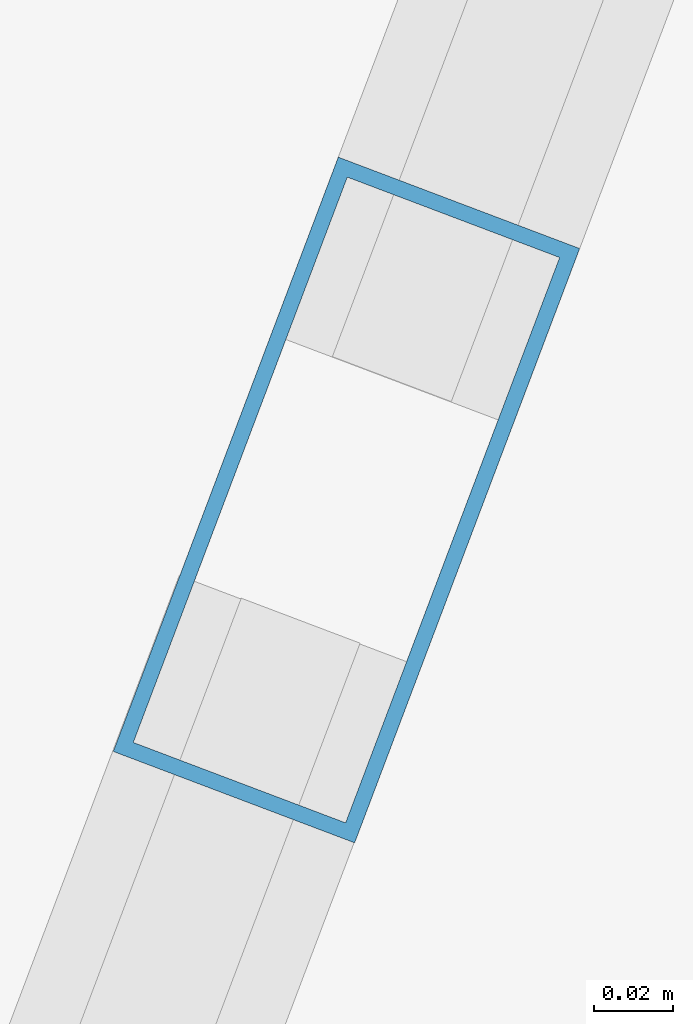
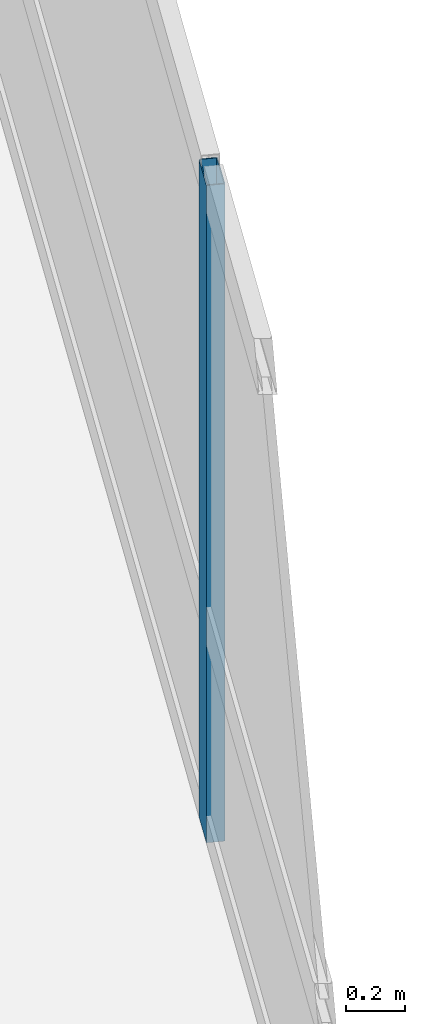
# One storey, part 13 of 25: 1 member, 1 element without a shape of its own.
"""IFC4 building model written with IfcOpenShell, lengths in metres."""

import ifcopenshell
import ifcopenshell.guid

model = None  # the IFC model being written
_history = None  # IfcOwnerHistory: only IFC2X3 demands one
_inside = {}  # id of a spatial element -> (the spatial element, [elements in it])
_under = {}  # id of a project, library or spatial element -> (it, [spatial elements below it])
_declared = {}  # id of a project -> (the project, [libraries it declares])
_typed = {}  # id of a type object -> (the type object, [elements of that type])
_made_of = {}  # id of a material, layer set ... -> (it, [elements and type objects made of it])


def new_model(schema):
    """Start an empty IFC model of exactly this schema.

    Asked for "IFC4X3", IfcOpenShell would pick the latest addendum, in which some entities
    have other attributes; the version numbers below select the first issue.
    IFC2X3 requires an IfcOwnerHistory on every rooted entity: one is made here for all.
    """
    global model, _history
    if schema == "IFC4X3":
        model = ifcopenshell.file(schema_version=(4, 3, 0, 0))
    else:
        model = ifcopenshell.file(schema=schema)
    _inside.clear()
    _under.clear()
    _declared.clear()
    _typed.clear()
    _made_of.clear()
    _history = None
    if model.schema == "IFC2X3":
        org = make("IfcOrganization", Name="unknown")
        user = make(
            "IfcPersonAndOrganization",
            ThePerson=make("IfcPerson", FamilyName="unknown"),
            TheOrganization=org,
        )
        app = make(
            "IfcApplication",
            ApplicationDeveloper=org,
            Version="unknown",
            ApplicationFullName="unknown",
            ApplicationIdentifier="unknown",
        )
        _history = make(
            "IfcOwnerHistory",
            OwningUser=user,
            OwningApplication=app,
            ChangeAction="ADDED",
            CreationDate=0,
        )
    return model


def make(cls, **values):
    """One entity of the class cls with the attributes given. An attribute that is None is left unset."""
    return model.create_entity(
        cls, **{name: value for name, value in values.items() if value is not None}
    )


def rooted(cls, **values):
    """An entity with a GlobalId (a new one), such as an element, a storey or a relation."""
    return make(cls, GlobalId=ifcopenshell.guid.new(), OwnerHistory=_history, **values)


def si_unit(unit_type, name, prefix=None):
    """IfcSIUnit, for example si_unit("LENGTHUNIT", "METRE", prefix="MILLI")."""
    return make("IfcSIUnit", UnitType=unit_type, Prefix=prefix, Name=name)


def assignment(units):
    """IfcUnitAssignment: the units of a project."""
    return None if units is None else make("IfcUnitAssignment", Units=units)


def point(xyz):
    """IfcCartesianPoint."""
    return None if xyz is None else make("IfcCartesianPoint", Coordinates=xyz)


def direction(xyz):
    """IfcDirection."""
    return None if xyz is None else make("IfcDirection", DirectionRatios=xyz)


def frame(location, z_axis=None, x_axis=None):
    """IfcAxis2Placement3D, a coordinate frame: its origin and axes. An axis left out is left unset."""
    return make(
        "IfcAxis2Placement3D",
        Location=point(location),
        Axis=direction(z_axis),
        RefDirection=direction(x_axis),
    )


def frame_2d(location, x_axis=None):
    """IfcAxis2Placement2D, a coordinate frame in the plane: its origin and x axis."""
    return make(
        "IfcAxis2Placement2D", Location=point(location), RefDirection=direction(x_axis)
    )


def origin():
    """The frame at (0, 0, 0) with its axes left unset."""
    return frame((0.0, 0.0, 0.0))


def origin_2d():
    """The frame at (0, 0) in the plane with its x axis left unset."""
    return frame_2d((0.0, 0.0))


def place(relative_to, where):
    """IfcLocalPlacement: puts the frame where relative to a parent placement (None: the world)."""
    return make(
        "IfcLocalPlacement", PlacementRelTo=relative_to, RelativePlacement=where
    )


def context(
    kind, dimensions, precision=None, world=None, true_north=None, identifier=None
):
    """IfcGeometricRepresentationContext, for example the 3D "Model" context."""
    return make(
        "IfcGeometricRepresentationContext",
        ContextIdentifier=identifier,
        ContextType=kind,
        CoordinateSpaceDimension=dimensions,
        Precision=precision,
        WorldCoordinateSystem=world,
        TrueNorth=true_north,
    )


def subcontext(parent, identifier, kind, view, scale=None):
    """IfcGeometricRepresentationSubContext, for example "Body" below "Model"."""
    return make(
        "IfcGeometricRepresentationSubContext",
        ContextIdentifier=identifier,
        ContextType=kind,
        ParentContext=parent,
        TargetScale=scale,
        TargetView=view,
    )


def project(units=None, contexts=None):
    """IfcProject with its units and contexts."""
    return rooted(
        "IfcProject",
        Name="project",
        RepresentationContexts=contexts,
        UnitsInContext=assignment(units),
    )


def spatial(cls, under=None, at=None, **own):
    """A site, building, storey or space (cls), placed at a placement, below another one or the project."""
    s = rooted(cls, ObjectPlacement=at, **own)
    if under is not None:
        _under.setdefault(under.id(), (under, []))[1].append(s)
    return s


def profile(cls, at=None, kind="AREA", **sizes):
    """A parametric profile (cls). Its sizes go by their IFC names, for example OverallWidth=200.0."""
    return make(cls, ProfileType=kind, Position=at, **sizes)


def hollow_rectangle(**sizes):
    """IfcRectangleHollowProfileDef."""
    return profile("IfcRectangleHollowProfileDef", **sizes)


def extrude(swept, where, along, depth):
    """IfcExtrudedAreaSolid: the profile swept, set in the frame where, extruded along a direction by depth."""
    return make(
        "IfcExtrudedAreaSolid",
        SweptArea=swept,
        Position=where,
        ExtrudedDirection=direction(along),
        Depth=depth,
    )


def shape(context_of_items, identifier, shape_type, items):
    """IfcShapeRepresentation: the items that make up one representation, for example the "Body"."""
    return make(
        "IfcShapeRepresentation",
        ContextOfItems=context_of_items,
        RepresentationIdentifier=identifier,
        RepresentationType=shape_type,
        Items=items,
    )


def material(Name=None, Category=None):
    """IfcMaterial."""
    return make("IfcMaterial", Name=Name, Category=Category)


def layer(
    of_material, thickness, ventilated=None, Name=None, Category=None, Priority=None
):
    """IfcMaterialLayer: one layer of a wall or slab, of a material (None: an air gap)."""
    return make(
        "IfcMaterialLayer",
        Material=of_material,
        LayerThickness=thickness,
        IsVentilated=ventilated,
        Name=Name,
        Category=Category,
        Priority=Priority,
    )


def layer_set(layers, Name=None):
    """IfcMaterialLayerSet."""
    return make("IfcMaterialLayerSet", MaterialLayers=layers, LayerSetName=Name)


def material_profile(
    of_material, cross_section, Name=None, Category=None, Priority=None
):
    """IfcMaterialProfile: a cross section and its material."""
    return make(
        "IfcMaterialProfile",
        Name=Name,
        Material=of_material,
        Profile=cross_section,
        Priority=Priority,
        Category=Category,
    )


def profile_set(profiles, Name=None, composite=None):
    """IfcMaterialProfileSet."""
    return make(
        "IfcMaterialProfileSet",
        Name=Name,
        MaterialProfiles=profiles,
        CompositeProfile=composite,
    )


def made_of(thing, what):
    """Note that an element or type object is made of a material, layer set ...; save() writes the relation."""
    if what is not None:
        _made_of.setdefault(what.id(), (what, []))[1].append(thing)
    return thing


def type_object(cls, material=None, **own):
    """A type object (cls), such as IfcWallType, which elements share."""
    return made_of(rooted(cls, **own), material)


def element(
    cls,
    number,
    at=None,
    inside=None,
    cuts=None,
    type_object=None,
    material=None,
    context=None,
    identifier="Body",
    shape_type=None,
    held_by="IfcProductDefinitionShape",
    body=None,
    shapes=None,
    **own,
):
    """One element of the class cls, such as IfcWall. Its Tag is "e" and its number.

    at: its placement. inside: the storey or other place that contains it. cuts: it is an
    opening in that element (IfcRelVoidsElement). A single representation is given by context,
    identifier, shape_type and body (its items); several are given by shapes. held_by: the class
    of the entity that holds the representations. save() writes the other relations.
    """
    e = rooted(cls, Tag="e%d" % number, ObjectPlacement=at, **own)
    if body is not None:
        shapes = [shape(context, identifier, shape_type, body)]
    if shapes is not None:
        e.Representation = make(held_by, Representations=shapes)
    if inside is not None:
        _inside.setdefault(inside.id(), (inside, []))[1].append(e)
    if cuts is not None:
        rooted(
            "IfcRelVoidsElement", RelatingBuildingElement=cuts, RelatedOpeningElement=e
        )
    if type_object is not None:
        _typed.setdefault(type_object.id(), (type_object, []))[1].append(e)
    return made_of(e, material)


def aggregate(whole, parts):
    """IfcRelAggregates: a whole, such as a stair, and the parts it consists of."""
    return rooted("IfcRelAggregates", RelatingObject=whole, RelatedObjects=parts)


def save(model, path):
    """Write the relations noted so far, then the file.

    IfcRelAggregates (storeys below a building ...), IfcRelContainedInSpatialStructure (elements
    in a storey), IfcRelDefinesByType, IfcRelAssociatesMaterial and IfcRelDeclares: one each for
    every whole, place, type object, material and project.
    """
    for whole, parts in _under.values():
        aggregate(whole, parts)
    for where, things in _inside.values():
        rooted(
            "IfcRelContainedInSpatialStructure",
            RelatedElements=things,
            RelatingStructure=where,
        )
    for kind, things in _typed.values():
        rooted("IfcRelDefinesByType", RelatedObjects=things, RelatingType=kind)
    for what, things in _made_of.values():
        rooted("IfcRelAssociatesMaterial", RelatedObjects=things, RelatingMaterial=what)
    for by, libraries in _declared.values():
        rooted("IfcRelDeclares", RelatingContext=by, RelatedDefinitions=libraries)
    model.write(path)


model = new_model("IFC4")

# Units and contexts
model_context = context("Model", 3, precision=1e-05, world=origin(), true_north=direction((0.0, 1.0)))
body_context = subcontext(model_context, "Body", "Model", "MODEL_VIEW")
ifc_project = project(units=[si_unit("LENGTHUNIT", "METRE"), si_unit("AREAUNIT", "SQUARE_METRE"), si_unit("VOLUMEUNIT", "CUBIC_METRE"), si_unit("PLANEANGLEUNIT", "RADIAN"), si_unit("MASSUNIT", "GRAM", prefix="KILO")], contexts=[model_context])

# Site, building, storey
site_placement = place(None, origin())
site = spatial("IfcSite", under=ifc_project, at=site_placement, CompositionType="ELEMENT")
building_placement = place(site_placement, origin())
building = spatial("IfcBuilding", under=site, at=building_placement, Name="Varnelok Gate Tower", CompositionType="ELEMENT")
storey_placement = place(building_placement, frame((0.0, 0.0, 79.89990234375)))
storey = spatial("IfcBuildingStorey", under=building, at=storey_placement, Name="L19", CompositionType="ELEMENT", Elevation=79.89990234375)

# Curtain wall, member
ifc_material = material(Name="Anodized Aluminum Alloy 6063-T6", Category="aluminium")
ifc_layer = layer(ifc_material, 0.179931640625)
ifc_layer_set = layer_set([ifc_layer], Name="Anodized Aluminum Alloy 6063-T6")
curtain_wall_type = type_object("IfcCurtainWallType", Name="CW3-HOTEL-VISION", PredefinedType="USERDEFINED", material=ifc_layer_set)
curtain_wall_placement = place(storey_placement, origin())
curtain_wall = element("IfcCurtainWall", 1, at=curtain_wall_placement, inside=storey, type_object=curtain_wall_type, Name="L19 East End Vision Curtain Wall", ObjectType="UNITISED CURTAIN WALL", PredefinedType="USERDEFINED")
ifc_material_profile = material_profile(ifc_material, hollow_rectangle(XDim=0.06494140625, YDim=0.159912109375, WallThickness=0.00390625, at=origin_2d()), Name="ALU160X65X4")
ifc_profile_set = profile_set([ifc_material_profile], Name="Anodized Aluminum Alloy 6063-T6")
member_type = type_object("IfcMemberType", Name="CW-MULL-160", PredefinedType="MULLION", material=ifc_profile_set)
member_placement = place(storey_placement, frame((77.8916015625, 22.26416015625, 0.0), z_axis=(0.0, 0.0, 1.0), x_axis=(0.935221323688, -0.354063660545, 0.0)))
member = element("IfcMember", 2, at=member_placement, type_object=member_type, Name="CW3 mullion 2", PredefinedType="MULLION", context=body_context, shape_type="SweptSolid", body=[
    extrude(hollow_rectangle(XDim=0.06494140625, YDim=0.159912109375, WallThickness=0.00390625, at=origin_2d()), origin(), (0.0, 0.0, 1.0), 2.72998046875),
])
aggregate(curtain_wall, [member])

save(model, "model.ifc")
